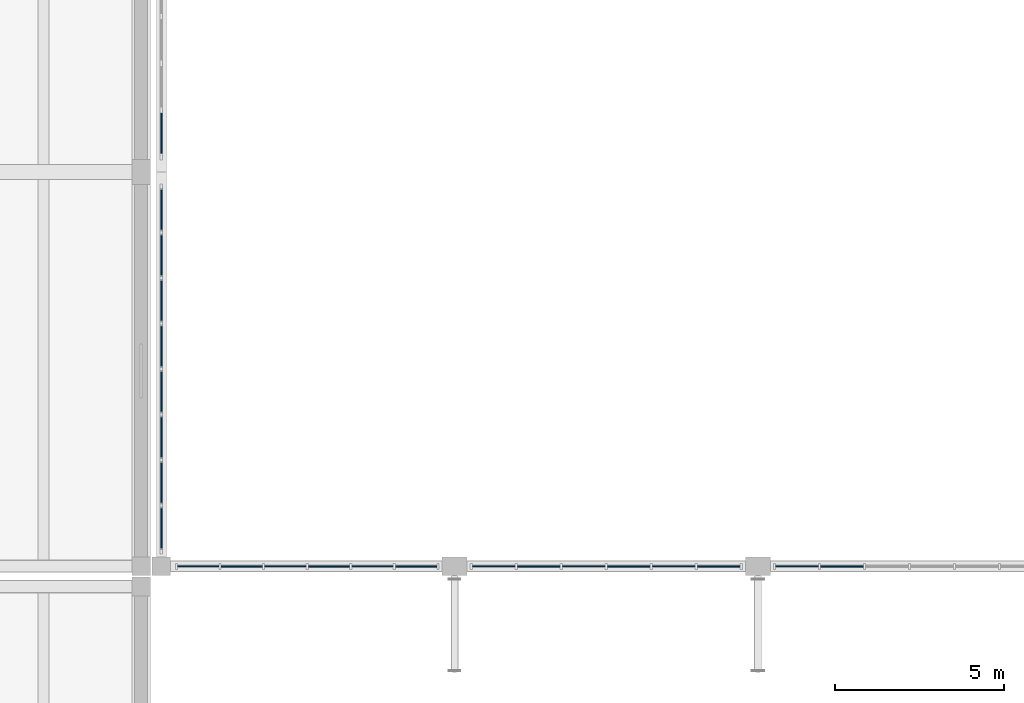
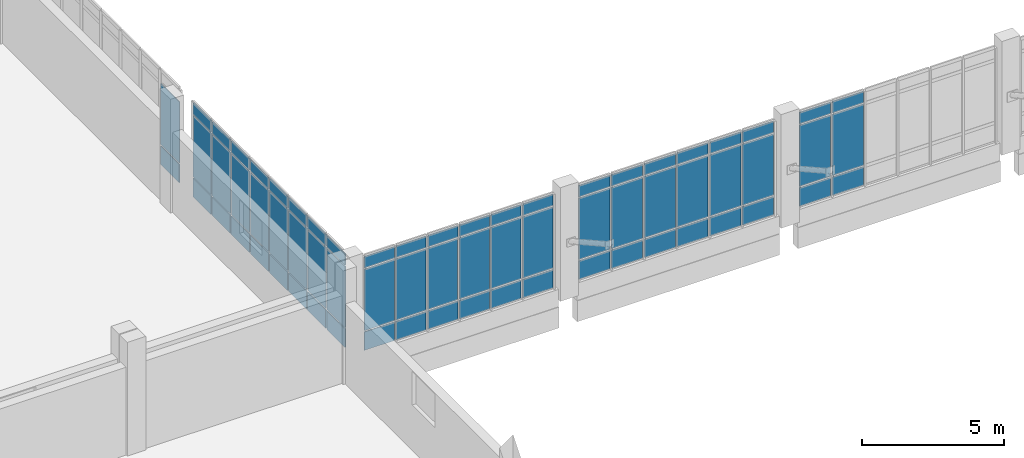
# One storey, part 59 of 110: 68 plates, 5 elements without a shape of their own.
"""IFC4 building model written with IfcOpenShell, lengths in metres."""

from ifc_helpers import new_model, si_unit, direction, frame, origin, origin_2d, place, context, subcontext, project, spatial, rectangle, extrude, material, layer, layer_set, type_object, element, aggregate, save


model = new_model("IFC4")

# Units and contexts
model_context = context("Model", 3, precision=1e-05, world=origin(), true_north=direction((0.0, 1.0)))
body_context = subcontext(model_context, "Body", "Model", "MODEL_VIEW")
ifc_project = project(units=[si_unit("LENGTHUNIT", "METRE"), si_unit("AREAUNIT", "SQUARE_METRE"), si_unit("VOLUMEUNIT", "CUBIC_METRE"), si_unit("PLANEANGLEUNIT", "RADIAN"), si_unit("MASSUNIT", "GRAM", prefix="KILO")], contexts=[model_context])

# Site, building, storey
site_placement = place(None, origin())
site = spatial("IfcSite", under=ifc_project, at=site_placement, CompositionType="ELEMENT")
building_placement = place(site_placement, origin())
building = spatial("IfcBuilding", under=site, at=building_placement, Name="Zacnel Wholesale Market", CompositionType="ELEMENT")
storey_placement = place(building_placement, frame((0.0, 0.0, 6.300048828125)))
storey = spatial("IfcBuildingStorey", under=building, at=storey_placement, Name="L02", CompositionType="ELEMENT", Elevation=6.300048828125)

# Curtain wall, plates
ifc_material_1 = material(Name="Anodised aluminium", Category="aluminium")
ifc_layer_1 = layer(ifc_material_1, 0.159912109375)
ifc_layer_set_1 = layer_set([ifc_layer_1], Name="Anodised aluminium")
curtain_wall_type = type_object("IfcCurtainWallType", Name="CW-NAVE-4200", PredefinedType="NOTDEFINED", material=ifc_layer_set_1)
curtain_wall_1_placement = place(storey_placement, origin())
curtain_wall_1 = element("IfcCurtainWall", 1, at=curtain_wall_1_placement, inside=storey, type_object=curtain_wall_type, Name="Curtain wall ENV-R2-CW-L02-020", PredefinedType="NOTDEFINED")
ifc_material_2 = material(Name="Laminated hurricane-impact low-E insulated glass", Category="glass")
ifc_layer_2 = layer(ifc_material_2, 0.031982421875)
ifc_layer_set_2 = layer_set([ifc_layer_2], Name="Laminated hurricane-impact low-E insulated glass")
plate_type_1 = type_object("IfcPlateType", Name="CWP-PNL-02", PredefinedType="CURTAIN_PANEL", material=ifc_layer_set_2)
plate_1_placement = place(storey_placement, frame((73.396240234375, 96.300048828125, 1.330078125), z_axis=(0.0, 0.0, 1.0), x_axis=(1.0, 0.0, 0.0)))
plate_1 = element("IfcPlate", 2, at=plate_1_placement, type_object=plate_type_1, Name="ENV-R2-CW-L02-020 panel 1-2", PredefinedType="CURTAIN_PANEL", context=body_context, shape_type="SweptSolid", body=[
    extrude(rectangle(XDim=1.222412109375, YDim=0.031982421875, at=origin_2d()), origin(), (0.0, 0.0, 1.0), 2.639892578125),
])
plate_2_placement = place(storey_placement, frame((74.688720703125, 96.300048828125, 1.330078125), z_axis=(0.0, 0.0, 1.0), x_axis=(1.0, 0.0, 0.0)))
plate_2 = element("IfcPlate", 3, at=plate_2_placement, type_object=plate_type_1, Name="ENV-R2-CW-L02-020 panel 2-2", PredefinedType="CURTAIN_PANEL", context=body_context, shape_type="SweptSolid", body=[
    extrude(rectangle(XDim=1.222412109375, YDim=0.031982421875, at=origin_2d()), origin(), (0.0, 0.0, 1.0), 2.639892578125),
])
plate_3_placement = place(storey_placement, frame((75.981201171875, 96.300048828125, 1.330078125), z_axis=(0.0, 0.0, 1.0), x_axis=(1.0, 0.0, 0.0)))
plate_3 = element("IfcPlate", 4, at=plate_3_placement, type_object=plate_type_1, Name="ENV-R2-CW-L02-020 panel 3-2", PredefinedType="CURTAIN_PANEL", context=body_context, shape_type="SweptSolid", body=[
    extrude(rectangle(XDim=1.222412109375, YDim=0.031982421875, at=origin_2d()), origin(), (0.0, 0.0, 1.0), 2.639892578125),
])
plate_4_placement = place(storey_placement, frame((77.273681640625, 96.300048828125, 1.330078125), z_axis=(0.0, 0.0, 1.0), x_axis=(1.0, 0.0, 0.0)))
plate_4 = element("IfcPlate", 5, at=plate_4_placement, type_object=plate_type_1, Name="ENV-R2-CW-L02-020 panel 4-2", PredefinedType="CURTAIN_PANEL", context=body_context, shape_type="SweptSolid", body=[
    extrude(rectangle(XDim=1.222412109375, YDim=0.031982421875, at=origin_2d()), origin(), (0.0, 0.0, 1.0), 2.639892578125),
])
plate_5_placement = place(storey_placement, frame((78.566162109375, 96.300048828125, 1.330078125), z_axis=(0.0, 0.0, 1.0), x_axis=(1.0, 0.0, 0.0)))
plate_5 = element("IfcPlate", 6, at=plate_5_placement, type_object=plate_type_1, Name="ENV-R2-CW-L02-020 panel 5-2", PredefinedType="CURTAIN_PANEL", context=body_context, shape_type="SweptSolid", body=[
    extrude(rectangle(XDim=1.222412109375, YDim=0.031982421875, at=origin_2d()), origin(), (0.0, 0.0, 1.0), 2.639892578125),
])
plate_6_placement = place(storey_placement, frame((79.85888671875, 96.300048828125, 1.330078125), z_axis=(0.0, 0.0, 1.0), x_axis=(1.0, 0.0, 0.0)))
plate_6 = element("IfcPlate", 7, at=plate_6_placement, type_object=plate_type_1, Name="ENV-R2-CW-L02-020 panel 6-2", PredefinedType="CURTAIN_PANEL", context=body_context, shape_type="SweptSolid", body=[
    extrude(rectangle(XDim=1.222412109375, YDim=0.031982421875, at=origin_2d()), origin(), (0.0, 0.0, 1.0), 2.639892578125),
])

curtain_wall_2_placement = place(storey_placement, origin())
curtain_wall_2 = element("IfcCurtainWall", 8, at=curtain_wall_2_placement, inside=storey, type_object=curtain_wall_type, Name="Curtain wall ENV-R2-CW-L02-021", PredefinedType="NOTDEFINED")
plate_7_placement = place(storey_placement, frame((82.16259765625, 96.300048828125, 1.330078125), z_axis=(0.0, 0.0, 1.0), x_axis=(1.0, 0.0, 0.0)))
plate_7 = element("IfcPlate", 9, at=plate_7_placement, type_object=plate_type_1, Name="ENV-R2-CW-L02-021 panel 1-2", PredefinedType="CURTAIN_PANEL", context=body_context, shape_type="SweptSolid", body=[
    extrude(rectangle(XDim=1.264892578125, YDim=0.031982421875, at=origin_2d()), origin(), (0.0, 0.0, 1.0), 2.639892578125),
])
plate_8_placement = place(storey_placement, frame((83.49755859375, 96.300048828125, 1.330078125), z_axis=(0.0, 0.0, 1.0), x_axis=(1.0, 0.0, 0.0)))
plate_8 = element("IfcPlate", 10, at=plate_8_placement, type_object=plate_type_1, Name="ENV-R2-CW-L02-021 panel 2-2", PredefinedType="CURTAIN_PANEL", context=body_context, shape_type="SweptSolid", body=[
    extrude(rectangle(XDim=1.264892578125, YDim=0.031982421875, at=origin_2d()), origin(), (0.0, 0.0, 1.0), 2.639892578125),
])
plate_9_placement = place(storey_placement, frame((84.83251953125, 96.300048828125, 1.330078125), z_axis=(0.0, 0.0, 1.0), x_axis=(1.0, 0.0, 0.0)))
plate_9 = element("IfcPlate", 11, at=plate_9_placement, type_object=plate_type_1, Name="ENV-R2-CW-L02-021 panel 3-2", PredefinedType="CURTAIN_PANEL", context=body_context, shape_type="SweptSolid", body=[
    extrude(rectangle(XDim=1.264892578125, YDim=0.031982421875, at=origin_2d()), origin(), (0.0, 0.0, 1.0), 2.639892578125),
])
plate_10_placement = place(storey_placement, frame((86.16748046875, 96.300048828125, 1.330078125), z_axis=(0.0, 0.0, 1.0), x_axis=(1.0, 0.0, 0.0)))
plate_10 = element("IfcPlate", 12, at=plate_10_placement, type_object=plate_type_1, Name="ENV-R2-CW-L02-021 panel 4-2", PredefinedType="CURTAIN_PANEL", context=body_context, shape_type="SweptSolid", body=[
    extrude(rectangle(XDim=1.264892578125, YDim=0.031982421875, at=origin_2d()), origin(), (0.0, 0.0, 1.0), 2.639892578125),
])
plate_11_placement = place(storey_placement, frame((87.50244140625, 96.300048828125, 1.330078125), z_axis=(0.0, 0.0, 1.0), x_axis=(1.0, 0.0, 0.0)))
plate_11 = element("IfcPlate", 13, at=plate_11_placement, type_object=plate_type_1, Name="ENV-R2-CW-L02-021 panel 5-2", PredefinedType="CURTAIN_PANEL", context=body_context, shape_type="SweptSolid", body=[
    extrude(rectangle(XDim=1.264892578125, YDim=0.031982421875, at=origin_2d()), origin(), (0.0, 0.0, 1.0), 2.639892578125),
])
plate_12_placement = place(storey_placement, frame((88.83740234375, 96.300048828125, 1.330078125), z_axis=(0.0, 0.0, 1.0), x_axis=(1.0, 0.0, 0.0)))
plate_12 = element("IfcPlate", 14, at=plate_12_placement, type_object=plate_type_1, Name="ENV-R2-CW-L02-021 panel 6-2", PredefinedType="CURTAIN_PANEL", context=body_context, shape_type="SweptSolid", body=[
    extrude(rectangle(XDim=1.264892578125, YDim=0.031982421875, at=origin_2d()), origin(), (0.0, 0.0, 1.0), 2.639892578125),
])

curtain_wall_3_placement = place(storey_placement, origin())
curtain_wall_3 = element("IfcCurtainWall", 15, at=curtain_wall_3_placement, inside=storey, type_object=curtain_wall_type, Name="Curtain wall ENV-R2-CW-L02-022", PredefinedType="NOTDEFINED")
plate_13_placement = place(storey_placement, frame((91.16259765625, 96.300048828125, 1.330078125), z_axis=(0.0, 0.0, 1.0), x_axis=(1.0, 0.0, 0.0)))
plate_13 = element("IfcPlate", 16, at=plate_13_placement, type_object=plate_type_1, Name="ENV-R2-CW-L02-022 panel 1-2", PredefinedType="CURTAIN_PANEL", context=body_context, shape_type="SweptSolid", body=[
    extrude(rectangle(XDim=1.264892578125, YDim=0.031982421875, at=origin_2d()), origin(), (0.0, 0.0, 1.0), 2.639892578125),
])
plate_14_placement = place(storey_placement, frame((92.49755859375, 96.300048828125, 1.330078125), z_axis=(0.0, 0.0, 1.0), x_axis=(1.0, 0.0, 0.0)))
plate_14 = element("IfcPlate", 17, at=plate_14_placement, type_object=plate_type_1, Name="ENV-R2-CW-L02-022 panel 2-2", PredefinedType="CURTAIN_PANEL", context=body_context, shape_type="SweptSolid", body=[
    extrude(rectangle(XDim=1.264892578125, YDim=0.031982421875, at=origin_2d()), origin(), (0.0, 0.0, 1.0), 2.639892578125),
])

curtain_wall_4_placement = place(storey_placement, origin())
curtain_wall_4 = element("IfcCurtainWall", 18, at=curtain_wall_4_placement, inside=storey, type_object=curtain_wall_type, Name="Curtain wall ENV-R2-CW-L02-029", PredefinedType="NOTDEFINED")
plate_15_placement = place(storey_placement, frame((72.300048828125, 97.425048828125, 1.330078125), z_axis=(0.0, 0.0, 1.0), x_axis=(0.0, 1.0, 0.0)))
plate_15 = element("IfcPlate", 19, at=plate_15_placement, type_object=plate_type_1, Name="ENV-R2-CW-L02-029 panel 1-2", PredefinedType="CURTAIN_PANEL", context=body_context, shape_type="SweptSolid", body=[
    extrude(rectangle(XDim=1.280029296875, YDim=0.031982421875, at=origin_2d()), origin(), (0.0, 0.0, 1.0), 2.639892578125),
])
plate_16_placement = place(storey_placement, frame((72.300048828125, 98.77490234375, 1.330078125), z_axis=(0.0, 0.0, 1.0), x_axis=(0.0, 1.0, 0.0)))
plate_16 = element("IfcPlate", 20, at=plate_16_placement, type_object=plate_type_1, Name="ENV-R2-CW-L02-029 panel 2-2", PredefinedType="CURTAIN_PANEL", context=body_context, shape_type="SweptSolid", body=[
    extrude(rectangle(XDim=1.280029296875, YDim=0.031982421875, at=origin_2d()), origin(), (0.0, 0.0, 1.0), 2.639892578125),
])
plate_17_placement = place(storey_placement, frame((72.300048828125, 100.125, 1.330078125), z_axis=(0.0, 0.0, 1.0), x_axis=(0.0, 1.0, 0.0)))
plate_17 = element("IfcPlate", 21, at=plate_17_placement, type_object=plate_type_1, Name="ENV-R2-CW-L02-029 panel 3-2", PredefinedType="CURTAIN_PANEL", context=body_context, shape_type="SweptSolid", body=[
    extrude(rectangle(XDim=1.280029296875, YDim=0.031982421875, at=origin_2d()), origin(), (0.0, 0.0, 1.0), 2.639892578125),
])
plate_18_placement = place(storey_placement, frame((72.300048828125, 101.47509765625, 1.330078125), z_axis=(0.0, 0.0, 1.0), x_axis=(0.0, 1.0, 0.0)))
plate_18 = element("IfcPlate", 22, at=plate_18_placement, type_object=plate_type_1, Name="ENV-R2-CW-L02-029 panel 4-2", PredefinedType="CURTAIN_PANEL", context=body_context, shape_type="SweptSolid", body=[
    extrude(rectangle(XDim=1.280029296875, YDim=0.031982421875, at=origin_2d()), origin(), (0.0, 0.0, 1.0), 2.639892578125),
])
plate_19_placement = place(storey_placement, frame((72.300048828125, 102.824951171875, 1.330078125), z_axis=(0.0, 0.0, 1.0), x_axis=(0.0, 1.0, 0.0)))
plate_19 = element("IfcPlate", 23, at=plate_19_placement, type_object=plate_type_1, Name="ENV-R2-CW-L02-029 panel 5-2", PredefinedType="CURTAIN_PANEL", context=body_context, shape_type="SweptSolid", body=[
    extrude(rectangle(XDim=1.280029296875, YDim=0.031982421875, at=origin_2d()), origin(), (0.0, 0.0, 1.0), 2.639892578125),
])
plate_20_placement = place(storey_placement, frame((72.300048828125, 104.175048828125, 1.330078125), z_axis=(0.0, 0.0, 1.0), x_axis=(0.0, 1.0, 0.0)))
plate_20 = element("IfcPlate", 24, at=plate_20_placement, type_object=plate_type_1, Name="ENV-R2-CW-L02-029 panel 6-2", PredefinedType="CURTAIN_PANEL", context=body_context, shape_type="SweptSolid", body=[
    extrude(rectangle(XDim=1.280029296875, YDim=0.031982421875, at=origin_2d()), origin(), (0.0, 0.0, 1.0), 2.639892578125),
])
plate_21_placement = place(storey_placement, frame((72.300048828125, 105.52490234375, 1.330078125), z_axis=(0.0, 0.0, 1.0), x_axis=(0.0, 1.0, 0.0)))
plate_21 = element("IfcPlate", 25, at=plate_21_placement, type_object=plate_type_1, Name="ENV-R2-CW-L02-029 panel 7-2", PredefinedType="CURTAIN_PANEL", context=body_context, shape_type="SweptSolid", body=[
    extrude(rectangle(XDim=1.280029296875, YDim=0.031982421875, at=origin_2d()), origin(), (0.0, 0.0, 1.0), 2.639892578125),
])
plate_22_placement = place(storey_placement, frame((72.300048828125, 106.875, 1.330078125), z_axis=(0.0, 0.0, 1.0), x_axis=(0.0, 1.0, 0.0)))
plate_22 = element("IfcPlate", 26, at=plate_22_placement, type_object=plate_type_1, Name="ENV-R2-CW-L02-029 panel 8-2", PredefinedType="CURTAIN_PANEL", context=body_context, shape_type="SweptSolid", body=[
    extrude(rectangle(XDim=1.280029296875, YDim=0.031982421875, at=origin_2d()), origin(), (0.0, 0.0, 1.0), 2.639892578125),
])

# Curtain wall, plate
curtain_wall_5_placement = place(storey_placement, origin())
curtain_wall_5 = element("IfcCurtainWall", 27, at=curtain_wall_5_placement, inside=storey, type_object=curtain_wall_type, Name="Curtain wall ENV-R2-CW-L02-030", PredefinedType="NOTDEFINED")
plate_23_placement = place(storey_placement, frame((72.300048828125, 109.143798828125, 1.330078125), z_axis=(0.0, 0.0, 1.0), x_axis=(0.0, 1.0, 0.0)))
plate_23 = element("IfcPlate", 28, at=plate_23_placement, type_object=plate_type_1, Name="ENV-R2-CW-L02-030 panel 1-2", PredefinedType="CURTAIN_PANEL", context=body_context, shape_type="SweptSolid", body=[
    extrude(rectangle(XDim=1.3173828125, YDim=0.031982421875, at=origin_2d()), origin(), (0.0, 0.0, 1.0), 2.639892578125),
])

# Plate
ifc_material_3 = material(Name="Anodised aluminium", Category="aluminium")
ifc_layer_3 = layer(ifc_material_3, 0.0400390625)
ifc_layer_set_3 = layer_set([ifc_layer_3], Name="Anodised aluminium")
plate_type_2 = type_object("IfcPlateType", Name="CWP-PNL-05", PredefinedType="CURTAIN_PANEL", material=ifc_layer_set_3)
plate_24_placement = place(storey_placement, frame((73.396240234375, 96.300048828125, 0.47998046875), z_axis=(0.0, 0.0, 1.0), x_axis=(1.0, 0.0, 0.0)))
plate_24 = element("IfcPlate", 29, at=plate_24_placement, type_object=plate_type_2, Name="ENV-R2-CW-L02-020 panel 1-1", PredefinedType="CURTAIN_PANEL", context=body_context, shape_type="SweptSolid", body=[
    extrude(rectangle(XDim=1.222412109375, YDim=0.0400390625, at=origin_2d()), origin(), (0.0, 0.0, 1.0), 0.7900390625),
])

plate_25_placement = place(storey_placement, frame((73.396240234375, 96.300048828125, 4.02978515625), z_axis=(0.0, 0.0, 1.0), x_axis=(1.0, 0.0, 0.0)))
plate_25 = element("IfcPlate", 30, at=plate_25_placement, type_object=plate_type_2, Name="ENV-R2-CW-L02-020 panel 1-3", PredefinedType="CURTAIN_PANEL", context=body_context, shape_type="SweptSolid", body=[
    extrude(rectangle(XDim=1.222412109375, YDim=0.0400390625, at=origin_2d()), origin(), (0.0, 0.0, 1.0), 0.489990234375),
])

plate_26_placement = place(storey_placement, frame((75.981201171875, 96.300048828125, 0.47998046875), z_axis=(0.0, 0.0, 1.0), x_axis=(1.0, 0.0, 0.0)))
plate_26 = element("IfcPlate", 31, at=plate_26_placement, type_object=plate_type_2, Name="ENV-R2-CW-L02-020 panel 3-1", PredefinedType="CURTAIN_PANEL", context=body_context, shape_type="SweptSolid", body=[
    extrude(rectangle(XDim=1.222412109375, YDim=0.0400390625, at=origin_2d()), origin(), (0.0, 0.0, 1.0), 0.7900390625),
])

plate_27_placement = place(storey_placement, frame((75.981201171875, 96.300048828125, 4.02978515625), z_axis=(0.0, 0.0, 1.0), x_axis=(1.0, 0.0, 0.0)))
plate_27 = element("IfcPlate", 32, at=plate_27_placement, type_object=plate_type_2, Name="ENV-R2-CW-L02-020 panel 3-3", PredefinedType="CURTAIN_PANEL", context=body_context, shape_type="SweptSolid", body=[
    extrude(rectangle(XDim=1.222412109375, YDim=0.0400390625, at=origin_2d()), origin(), (0.0, 0.0, 1.0), 0.489990234375),
])

plate_28_placement = place(storey_placement, frame((78.566162109375, 96.300048828125, 0.47998046875), z_axis=(0.0, 0.0, 1.0), x_axis=(1.0, 0.0, 0.0)))
plate_28 = element("IfcPlate", 33, at=plate_28_placement, type_object=plate_type_2, Name="ENV-R2-CW-L02-020 panel 5-1", PredefinedType="CURTAIN_PANEL", context=body_context, shape_type="SweptSolid", body=[
    extrude(rectangle(XDim=1.222412109375, YDim=0.0400390625, at=origin_2d()), origin(), (0.0, 0.0, 1.0), 0.7900390625),
])

plate_29_placement = place(storey_placement, frame((78.566162109375, 96.300048828125, 4.02978515625), z_axis=(0.0, 0.0, 1.0), x_axis=(1.0, 0.0, 0.0)))
plate_29 = element("IfcPlate", 34, at=plate_29_placement, type_object=plate_type_2, Name="ENV-R2-CW-L02-020 panel 5-3", PredefinedType="CURTAIN_PANEL", context=body_context, shape_type="SweptSolid", body=[
    extrude(rectangle(XDim=1.222412109375, YDim=0.0400390625, at=origin_2d()), origin(), (0.0, 0.0, 1.0), 0.489990234375),
])

plate_30_placement = place(storey_placement, frame((82.16259765625, 96.300048828125, 0.47998046875), z_axis=(0.0, 0.0, 1.0), x_axis=(1.0, 0.0, 0.0)))
plate_30 = element("IfcPlate", 35, at=plate_30_placement, type_object=plate_type_2, Name="ENV-R2-CW-L02-021 panel 1-1", PredefinedType="CURTAIN_PANEL", context=body_context, shape_type="SweptSolid", body=[
    extrude(rectangle(XDim=1.264892578125, YDim=0.0400390625, at=origin_2d()), origin(), (0.0, 0.0, 1.0), 0.7900390625),
])

plate_31_placement = place(storey_placement, frame((82.16259765625, 96.300048828125, 4.02978515625), z_axis=(0.0, 0.0, 1.0), x_axis=(1.0, 0.0, 0.0)))
plate_31 = element("IfcPlate", 36, at=plate_31_placement, type_object=plate_type_2, Name="ENV-R2-CW-L02-021 panel 1-3", PredefinedType="CURTAIN_PANEL", context=body_context, shape_type="SweptSolid", body=[
    extrude(rectangle(XDim=1.264892578125, YDim=0.0400390625, at=origin_2d()), origin(), (0.0, 0.0, 1.0), 0.489990234375),
])

plate_32_placement = place(storey_placement, frame((84.83251953125, 96.300048828125, 0.47998046875), z_axis=(0.0, 0.0, 1.0), x_axis=(1.0, 0.0, 0.0)))
plate_32 = element("IfcPlate", 37, at=plate_32_placement, type_object=plate_type_2, Name="ENV-R2-CW-L02-021 panel 3-1", PredefinedType="CURTAIN_PANEL", context=body_context, shape_type="SweptSolid", body=[
    extrude(rectangle(XDim=1.264892578125, YDim=0.0400390625, at=origin_2d()), origin(), (0.0, 0.0, 1.0), 0.7900390625),
])

plate_33_placement = place(storey_placement, frame((84.83251953125, 96.300048828125, 4.02978515625), z_axis=(0.0, 0.0, 1.0), x_axis=(1.0, 0.0, 0.0)))
plate_33 = element("IfcPlate", 38, at=plate_33_placement, type_object=plate_type_2, Name="ENV-R2-CW-L02-021 panel 3-3", PredefinedType="CURTAIN_PANEL", context=body_context, shape_type="SweptSolid", body=[
    extrude(rectangle(XDim=1.264892578125, YDim=0.0400390625, at=origin_2d()), origin(), (0.0, 0.0, 1.0), 0.489990234375),
])

plate_34_placement = place(storey_placement, frame((87.50244140625, 96.300048828125, 0.47998046875), z_axis=(0.0, 0.0, 1.0), x_axis=(1.0, 0.0, 0.0)))
plate_34 = element("IfcPlate", 39, at=plate_34_placement, type_object=plate_type_2, Name="ENV-R2-CW-L02-021 panel 5-1", PredefinedType="CURTAIN_PANEL", context=body_context, shape_type="SweptSolid", body=[
    extrude(rectangle(XDim=1.264892578125, YDim=0.0400390625, at=origin_2d()), origin(), (0.0, 0.0, 1.0), 0.7900390625),
])

plate_35_placement = place(storey_placement, frame((87.50244140625, 96.300048828125, 4.02978515625), z_axis=(0.0, 0.0, 1.0), x_axis=(1.0, 0.0, 0.0)))
plate_35 = element("IfcPlate", 40, at=plate_35_placement, type_object=plate_type_2, Name="ENV-R2-CW-L02-021 panel 5-3", PredefinedType="CURTAIN_PANEL", context=body_context, shape_type="SweptSolid", body=[
    extrude(rectangle(XDim=1.264892578125, YDim=0.0400390625, at=origin_2d()), origin(), (0.0, 0.0, 1.0), 0.489990234375),
])

plate_36_placement = place(storey_placement, frame((91.16259765625, 96.300048828125, 0.47998046875), z_axis=(0.0, 0.0, 1.0), x_axis=(1.0, 0.0, 0.0)))
plate_36 = element("IfcPlate", 41, at=plate_36_placement, type_object=plate_type_2, Name="ENV-R2-CW-L02-022 panel 1-1", PredefinedType="CURTAIN_PANEL", context=body_context, shape_type="SweptSolid", body=[
    extrude(rectangle(XDim=1.264892578125, YDim=0.0400390625, at=origin_2d()), origin(), (0.0, 0.0, 1.0), 0.7900390625),
])

plate_37_placement = place(storey_placement, frame((91.16259765625, 96.300048828125, 4.02978515625), z_axis=(0.0, 0.0, 1.0), x_axis=(1.0, 0.0, 0.0)))
plate_37 = element("IfcPlate", 42, at=plate_37_placement, type_object=plate_type_2, Name="ENV-R2-CW-L02-022 panel 1-3", PredefinedType="CURTAIN_PANEL", context=body_context, shape_type="SweptSolid", body=[
    extrude(rectangle(XDim=1.264892578125, YDim=0.0400390625, at=origin_2d()), origin(), (0.0, 0.0, 1.0), 0.489990234375),
])

plate_38_placement = place(storey_placement, frame((72.300048828125, 97.425048828125, 0.47998046875), z_axis=(0.0, 0.0, 1.0), x_axis=(0.0, 1.0, 0.0)))
plate_38 = element("IfcPlate", 43, at=plate_38_placement, type_object=plate_type_2, Name="ENV-R2-CW-L02-029 panel 1-1", PredefinedType="CURTAIN_PANEL", context=body_context, shape_type="SweptSolid", body=[
    extrude(rectangle(XDim=1.280029296875, YDim=0.0400390625, at=origin_2d()), origin(), (0.0, 0.0, 1.0), 0.7900390625),
])

plate_39_placement = place(storey_placement, frame((72.300048828125, 97.425048828125, 4.02978515625), z_axis=(0.0, 0.0, 1.0), x_axis=(0.0, 1.0, 0.0)))
plate_39 = element("IfcPlate", 44, at=plate_39_placement, type_object=plate_type_2, Name="ENV-R2-CW-L02-029 panel 1-3", PredefinedType="CURTAIN_PANEL", context=body_context, shape_type="SweptSolid", body=[
    extrude(rectangle(XDim=1.280029296875, YDim=0.0400390625, at=origin_2d()), origin(), (0.0, 0.0, 1.0), 0.489990234375),
])

plate_40_placement = place(storey_placement, frame((72.300048828125, 100.125, 0.47998046875), z_axis=(0.0, 0.0, 1.0), x_axis=(0.0, 1.0, 0.0)))
plate_40 = element("IfcPlate", 45, at=plate_40_placement, type_object=plate_type_2, Name="ENV-R2-CW-L02-029 panel 3-1", PredefinedType="CURTAIN_PANEL", context=body_context, shape_type="SweptSolid", body=[
    extrude(rectangle(XDim=1.280029296875, YDim=0.0400390625, at=origin_2d()), origin(), (0.0, 0.0, 1.0), 0.7900390625),
])

plate_41_placement = place(storey_placement, frame((72.300048828125, 100.125, 4.02978515625), z_axis=(0.0, 0.0, 1.0), x_axis=(0.0, 1.0, 0.0)))
plate_41 = element("IfcPlate", 46, at=plate_41_placement, type_object=plate_type_2, Name="ENV-R2-CW-L02-029 panel 3-3", PredefinedType="CURTAIN_PANEL", context=body_context, shape_type="SweptSolid", body=[
    extrude(rectangle(XDim=1.280029296875, YDim=0.0400390625, at=origin_2d()), origin(), (0.0, 0.0, 1.0), 0.489990234375),
])

plate_42_placement = place(storey_placement, frame((72.300048828125, 102.824951171875, 0.47998046875), z_axis=(0.0, 0.0, 1.0), x_axis=(0.0, 1.0, 0.0)))
plate_42 = element("IfcPlate", 47, at=plate_42_placement, type_object=plate_type_2, Name="ENV-R2-CW-L02-029 panel 5-1", PredefinedType="CURTAIN_PANEL", context=body_context, shape_type="SweptSolid", body=[
    extrude(rectangle(XDim=1.280029296875, YDim=0.0400390625, at=origin_2d()), origin(), (0.0, 0.0, 1.0), 0.7900390625),
])

plate_43_placement = place(storey_placement, frame((72.300048828125, 102.824951171875, 4.02978515625), z_axis=(0.0, 0.0, 1.0), x_axis=(0.0, 1.0, 0.0)))
plate_43 = element("IfcPlate", 48, at=plate_43_placement, type_object=plate_type_2, Name="ENV-R2-CW-L02-029 panel 5-3", PredefinedType="CURTAIN_PANEL", context=body_context, shape_type="SweptSolid", body=[
    extrude(rectangle(XDim=1.280029296875, YDim=0.0400390625, at=origin_2d()), origin(), (0.0, 0.0, 1.0), 0.489990234375),
])

plate_44_placement = place(storey_placement, frame((72.300048828125, 105.52490234375, 0.47998046875), z_axis=(0.0, 0.0, 1.0), x_axis=(0.0, 1.0, 0.0)))
plate_44 = element("IfcPlate", 49, at=plate_44_placement, type_object=plate_type_2, Name="ENV-R2-CW-L02-029 panel 7-1", PredefinedType="CURTAIN_PANEL", context=body_context, shape_type="SweptSolid", body=[
    extrude(rectangle(XDim=1.280029296875, YDim=0.0400390625, at=origin_2d()), origin(), (0.0, 0.0, 1.0), 0.7900390625),
])

plate_45_placement = place(storey_placement, frame((72.300048828125, 105.52490234375, 4.02978515625), z_axis=(0.0, 0.0, 1.0), x_axis=(0.0, 1.0, 0.0)))
plate_45 = element("IfcPlate", 50, at=plate_45_placement, type_object=plate_type_2, Name="ENV-R2-CW-L02-029 panel 7-3", PredefinedType="CURTAIN_PANEL", context=body_context, shape_type="SweptSolid", body=[
    extrude(rectangle(XDim=1.280029296875, YDim=0.0400390625, at=origin_2d()), origin(), (0.0, 0.0, 1.0), 0.489990234375),
])

plate_46_placement = place(storey_placement, frame((72.300048828125, 109.143798828125, 0.47998046875), z_axis=(0.0, 0.0, 1.0), x_axis=(0.0, 1.0, 0.0)))
plate_46 = element("IfcPlate", 51, at=plate_46_placement, type_object=plate_type_2, Name="ENV-R2-CW-L02-030 panel 1-1", PredefinedType="CURTAIN_PANEL", context=body_context, shape_type="SweptSolid", body=[
    extrude(rectangle(XDim=1.3173828125, YDim=0.0400390625, at=origin_2d()), origin(), (0.0, 0.0, 1.0), 0.7900390625),
])

aggregate(curtain_wall_5, [plate_46, plate_23])

ifc_material_4 = material(Name="Honed Yucatan Maya cream limestone", Category="masonry")
ifc_layer_4 = layer(ifc_material_4, 0.044921875)
ifc_layer_set_4 = layer_set([ifc_layer_4], Name="Honed Yucatan Maya cream limestone")
plate_type_3 = type_object("IfcPlateType", Name="CWP-PNL-06", PredefinedType="CURTAIN_PANEL", material=ifc_layer_set_4)
plate_47_placement = place(storey_placement, frame((74.688720703125, 96.300048828125, 0.47998046875), z_axis=(0.0, 0.0, 1.0), x_axis=(1.0, 0.0, 0.0)))
plate_47 = element("IfcPlate", 52, at=plate_47_placement, type_object=plate_type_3, Name="ENV-R2-CW-L02-020 panel 2-1", PredefinedType="CURTAIN_PANEL", context=body_context, shape_type="SweptSolid", body=[
    extrude(rectangle(XDim=1.222412109375, YDim=0.044921875, at=origin_2d()), origin(), (0.0, 0.0, 1.0), 0.7900390625),
])

plate_48_placement = place(storey_placement, frame((74.688720703125, 96.300048828125, 4.02978515625), z_axis=(0.0, 0.0, 1.0), x_axis=(1.0, 0.0, 0.0)))
plate_48 = element("IfcPlate", 53, at=plate_48_placement, type_object=plate_type_3, Name="ENV-R2-CW-L02-020 panel 2-3", PredefinedType="CURTAIN_PANEL", context=body_context, shape_type="SweptSolid", body=[
    extrude(rectangle(XDim=1.222412109375, YDim=0.044921875, at=origin_2d()), origin(), (0.0, 0.0, 1.0), 0.489990234375),
])

plate_49_placement = place(storey_placement, frame((77.273681640625, 96.300048828125, 0.47998046875), z_axis=(0.0, 0.0, 1.0), x_axis=(1.0, 0.0, 0.0)))
plate_49 = element("IfcPlate", 54, at=plate_49_placement, type_object=plate_type_3, Name="ENV-R2-CW-L02-020 panel 4-1", PredefinedType="CURTAIN_PANEL", context=body_context, shape_type="SweptSolid", body=[
    extrude(rectangle(XDim=1.222412109375, YDim=0.044921875, at=origin_2d()), origin(), (0.0, 0.0, 1.0), 0.7900390625),
])

plate_50_placement = place(storey_placement, frame((77.273681640625, 96.300048828125, 4.02978515625), z_axis=(0.0, 0.0, 1.0), x_axis=(1.0, 0.0, 0.0)))
plate_50 = element("IfcPlate", 55, at=plate_50_placement, type_object=plate_type_3, Name="ENV-R2-CW-L02-020 panel 4-3", PredefinedType="CURTAIN_PANEL", context=body_context, shape_type="SweptSolid", body=[
    extrude(rectangle(XDim=1.222412109375, YDim=0.044921875, at=origin_2d()), origin(), (0.0, 0.0, 1.0), 0.489990234375),
])

plate_51_placement = place(storey_placement, frame((79.85888671875, 96.300048828125, 0.47998046875), z_axis=(0.0, 0.0, 1.0), x_axis=(1.0, 0.0, 0.0)))
plate_51 = element("IfcPlate", 56, at=plate_51_placement, type_object=plate_type_3, Name="ENV-R2-CW-L02-020 panel 6-1", PredefinedType="CURTAIN_PANEL", context=body_context, shape_type="SweptSolid", body=[
    extrude(rectangle(XDim=1.222412109375, YDim=0.044921875, at=origin_2d()), origin(), (0.0, 0.0, 1.0), 0.7900390625),
])

plate_52_placement = place(storey_placement, frame((79.85888671875, 96.300048828125, 4.02978515625), z_axis=(0.0, 0.0, 1.0), x_axis=(1.0, 0.0, 0.0)))
plate_52 = element("IfcPlate", 57, at=plate_52_placement, type_object=plate_type_3, Name="ENV-R2-CW-L02-020 panel 6-3", PredefinedType="CURTAIN_PANEL", context=body_context, shape_type="SweptSolid", body=[
    extrude(rectangle(XDim=1.222412109375, YDim=0.044921875, at=origin_2d()), origin(), (0.0, 0.0, 1.0), 0.489990234375),
])

aggregate(curtain_wall_1, [plate_24, plate_1, plate_25, plate_47, plate_2, plate_48, plate_26, plate_3, plate_27, plate_49, plate_4, plate_50, plate_28, plate_5, plate_29, plate_51, plate_6, plate_52])

plate_53_placement = place(storey_placement, frame((83.49755859375, 96.300048828125, 0.47998046875), z_axis=(0.0, 0.0, 1.0), x_axis=(1.0, 0.0, 0.0)))
plate_53 = element("IfcPlate", 58, at=plate_53_placement, type_object=plate_type_3, Name="ENV-R2-CW-L02-021 panel 2-1", PredefinedType="CURTAIN_PANEL", context=body_context, shape_type="SweptSolid", body=[
    extrude(rectangle(XDim=1.264892578125, YDim=0.044921875, at=origin_2d()), origin(), (0.0, 0.0, 1.0), 0.7900390625),
])

plate_54_placement = place(storey_placement, frame((83.49755859375, 96.300048828125, 4.02978515625), z_axis=(0.0, 0.0, 1.0), x_axis=(1.0, 0.0, 0.0)))
plate_54 = element("IfcPlate", 59, at=plate_54_placement, type_object=plate_type_3, Name="ENV-R2-CW-L02-021 panel 2-3", PredefinedType="CURTAIN_PANEL", context=body_context, shape_type="SweptSolid", body=[
    extrude(rectangle(XDim=1.264892578125, YDim=0.044921875, at=origin_2d()), origin(), (0.0, 0.0, 1.0), 0.489990234375),
])

plate_55_placement = place(storey_placement, frame((86.16748046875, 96.300048828125, 0.47998046875), z_axis=(0.0, 0.0, 1.0), x_axis=(1.0, 0.0, 0.0)))
plate_55 = element("IfcPlate", 60, at=plate_55_placement, type_object=plate_type_3, Name="ENV-R2-CW-L02-021 panel 4-1", PredefinedType="CURTAIN_PANEL", context=body_context, shape_type="SweptSolid", body=[
    extrude(rectangle(XDim=1.264892578125, YDim=0.044921875, at=origin_2d()), origin(), (0.0, 0.0, 1.0), 0.7900390625),
])

plate_56_placement = place(storey_placement, frame((86.16748046875, 96.300048828125, 4.02978515625), z_axis=(0.0, 0.0, 1.0), x_axis=(1.0, 0.0, 0.0)))
plate_56 = element("IfcPlate", 61, at=plate_56_placement, type_object=plate_type_3, Name="ENV-R2-CW-L02-021 panel 4-3", PredefinedType="CURTAIN_PANEL", context=body_context, shape_type="SweptSolid", body=[
    extrude(rectangle(XDim=1.264892578125, YDim=0.044921875, at=origin_2d()), origin(), (0.0, 0.0, 1.0), 0.489990234375),
])

plate_57_placement = place(storey_placement, frame((88.83740234375, 96.300048828125, 0.47998046875), z_axis=(0.0, 0.0, 1.0), x_axis=(1.0, 0.0, 0.0)))
plate_57 = element("IfcPlate", 62, at=plate_57_placement, type_object=plate_type_3, Name="ENV-R2-CW-L02-021 panel 6-1", PredefinedType="CURTAIN_PANEL", context=body_context, shape_type="SweptSolid", body=[
    extrude(rectangle(XDim=1.264892578125, YDim=0.044921875, at=origin_2d()), origin(), (0.0, 0.0, 1.0), 0.7900390625),
])

plate_58_placement = place(storey_placement, frame((88.83740234375, 96.300048828125, 4.02978515625), z_axis=(0.0, 0.0, 1.0), x_axis=(1.0, 0.0, 0.0)))
plate_58 = element("IfcPlate", 63, at=plate_58_placement, type_object=plate_type_3, Name="ENV-R2-CW-L02-021 panel 6-3", PredefinedType="CURTAIN_PANEL", context=body_context, shape_type="SweptSolid", body=[
    extrude(rectangle(XDim=1.264892578125, YDim=0.044921875, at=origin_2d()), origin(), (0.0, 0.0, 1.0), 0.489990234375),
])

aggregate(curtain_wall_2, [plate_30, plate_7, plate_31, plate_53, plate_8, plate_54, plate_32, plate_9, plate_33, plate_55, plate_10, plate_56, plate_34, plate_11, plate_35, plate_57, plate_12, plate_58])

plate_59_placement = place(storey_placement, frame((92.49755859375, 96.300048828125, 0.47998046875), z_axis=(0.0, 0.0, 1.0), x_axis=(1.0, 0.0, 0.0)))
plate_59 = element("IfcPlate", 64, at=plate_59_placement, type_object=plate_type_3, Name="ENV-R2-CW-L02-022 panel 2-1", PredefinedType="CURTAIN_PANEL", context=body_context, shape_type="SweptSolid", body=[
    extrude(rectangle(XDim=1.264892578125, YDim=0.044921875, at=origin_2d()), origin(), (0.0, 0.0, 1.0), 0.7900390625),
])

plate_60_placement = place(storey_placement, frame((92.49755859375, 96.300048828125, 4.02978515625), z_axis=(0.0, 0.0, 1.0), x_axis=(1.0, 0.0, 0.0)))
plate_60 = element("IfcPlate", 65, at=plate_60_placement, type_object=plate_type_3, Name="ENV-R2-CW-L02-022 panel 2-3", PredefinedType="CURTAIN_PANEL", context=body_context, shape_type="SweptSolid", body=[
    extrude(rectangle(XDim=1.264892578125, YDim=0.044921875, at=origin_2d()), origin(), (0.0, 0.0, 1.0), 0.489990234375),
])

aggregate(curtain_wall_3, [plate_36, plate_13, plate_37, plate_59, plate_14, plate_60])

plate_61_placement = place(storey_placement, frame((72.300048828125, 98.77490234375, 0.47998046875), z_axis=(0.0, 0.0, 1.0), x_axis=(0.0, 1.0, 0.0)))
plate_61 = element("IfcPlate", 66, at=plate_61_placement, type_object=plate_type_3, Name="ENV-R2-CW-L02-029 panel 2-1", PredefinedType="CURTAIN_PANEL", context=body_context, shape_type="SweptSolid", body=[
    extrude(rectangle(XDim=1.280029296875, YDim=0.044921875, at=origin_2d()), origin(), (0.0, 0.0, 1.0), 0.7900390625),
])

plate_62_placement = place(storey_placement, frame((72.300048828125, 98.77490234375, 4.02978515625), z_axis=(0.0, 0.0, 1.0), x_axis=(0.0, 1.0, 0.0)))
plate_62 = element("IfcPlate", 67, at=plate_62_placement, type_object=plate_type_3, Name="ENV-R2-CW-L02-029 panel 2-3", PredefinedType="CURTAIN_PANEL", context=body_context, shape_type="SweptSolid", body=[
    extrude(rectangle(XDim=1.280029296875, YDim=0.044921875, at=origin_2d()), origin(), (0.0, 0.0, 1.0), 0.489990234375),
])

plate_63_placement = place(storey_placement, frame((72.300048828125, 101.47509765625, 0.47998046875), z_axis=(0.0, 0.0, 1.0), x_axis=(0.0, 1.0, 0.0)))
plate_63 = element("IfcPlate", 68, at=plate_63_placement, type_object=plate_type_3, Name="ENV-R2-CW-L02-029 panel 4-1", PredefinedType="CURTAIN_PANEL", context=body_context, shape_type="SweptSolid", body=[
    extrude(rectangle(XDim=1.280029296875, YDim=0.044921875, at=origin_2d()), origin(), (0.0, 0.0, 1.0), 0.7900390625),
])

plate_64_placement = place(storey_placement, frame((72.300048828125, 101.47509765625, 4.02978515625), z_axis=(0.0, 0.0, 1.0), x_axis=(0.0, 1.0, 0.0)))
plate_64 = element("IfcPlate", 69, at=plate_64_placement, type_object=plate_type_3, Name="ENV-R2-CW-L02-029 panel 4-3", PredefinedType="CURTAIN_PANEL", context=body_context, shape_type="SweptSolid", body=[
    extrude(rectangle(XDim=1.280029296875, YDim=0.044921875, at=origin_2d()), origin(), (0.0, 0.0, 1.0), 0.489990234375),
])

plate_65_placement = place(storey_placement, frame((72.300048828125, 104.175048828125, 0.47998046875), z_axis=(0.0, 0.0, 1.0), x_axis=(0.0, 1.0, 0.0)))
plate_65 = element("IfcPlate", 70, at=plate_65_placement, type_object=plate_type_3, Name="ENV-R2-CW-L02-029 panel 6-1", PredefinedType="CURTAIN_PANEL", context=body_context, shape_type="SweptSolid", body=[
    extrude(rectangle(XDim=1.280029296875, YDim=0.044921875, at=origin_2d()), origin(), (0.0, 0.0, 1.0), 0.7900390625),
])

plate_66_placement = place(storey_placement, frame((72.300048828125, 104.175048828125, 4.02978515625), z_axis=(0.0, 0.0, 1.0), x_axis=(0.0, 1.0, 0.0)))
plate_66 = element("IfcPlate", 71, at=plate_66_placement, type_object=plate_type_3, Name="ENV-R2-CW-L02-029 panel 6-3", PredefinedType="CURTAIN_PANEL", context=body_context, shape_type="SweptSolid", body=[
    extrude(rectangle(XDim=1.280029296875, YDim=0.044921875, at=origin_2d()), origin(), (0.0, 0.0, 1.0), 0.489990234375),
])

plate_67_placement = place(storey_placement, frame((72.300048828125, 106.875, 0.47998046875), z_axis=(0.0, 0.0, 1.0), x_axis=(0.0, 1.0, 0.0)))
plate_67 = element("IfcPlate", 72, at=plate_67_placement, type_object=plate_type_3, Name="ENV-R2-CW-L02-029 panel 8-1", PredefinedType="CURTAIN_PANEL", context=body_context, shape_type="SweptSolid", body=[
    extrude(rectangle(XDim=1.280029296875, YDim=0.044921875, at=origin_2d()), origin(), (0.0, 0.0, 1.0), 0.7900390625),
])

plate_68_placement = place(storey_placement, frame((72.300048828125, 106.875, 4.02978515625), z_axis=(0.0, 0.0, 1.0), x_axis=(0.0, 1.0, 0.0)))
plate_68 = element("IfcPlate", 73, at=plate_68_placement, type_object=plate_type_3, Name="ENV-R2-CW-L02-029 panel 8-3", PredefinedType="CURTAIN_PANEL", context=body_context, shape_type="SweptSolid", body=[
    extrude(rectangle(XDim=1.280029296875, YDim=0.044921875, at=origin_2d()), origin(), (0.0, 0.0, 1.0), 0.489990234375),
])

aggregate(curtain_wall_4, [plate_38, plate_15, plate_39, plate_61, plate_16, plate_62, plate_40, plate_17, plate_41, plate_63, plate_18, plate_64, plate_42, plate_19, plate_43, plate_65, plate_20, plate_66, plate_44, plate_21, plate_45, plate_67, plate_22, plate_68])

save(model, "model.ifc")
